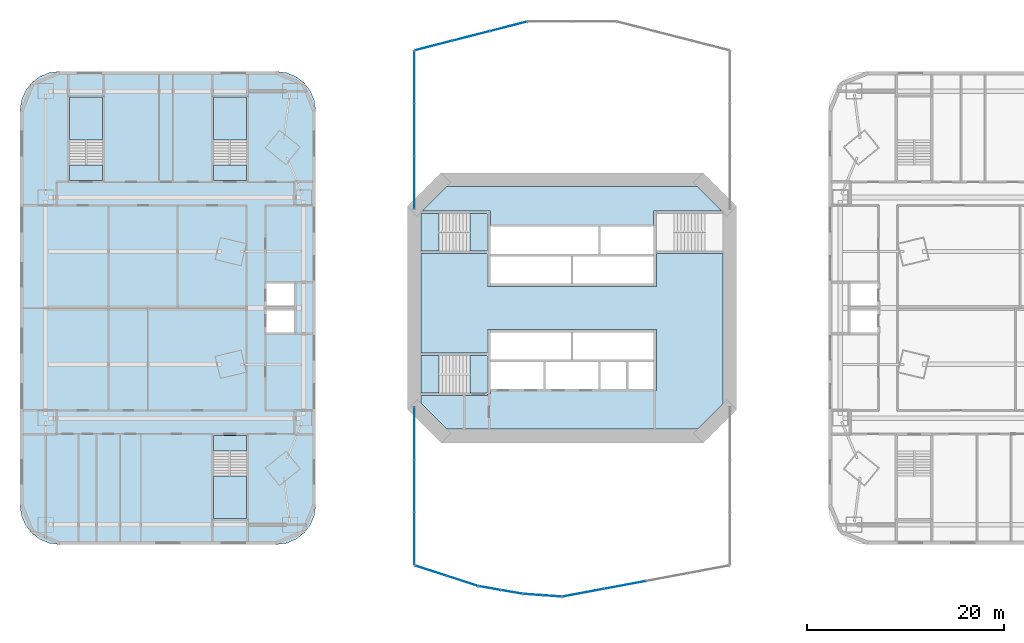
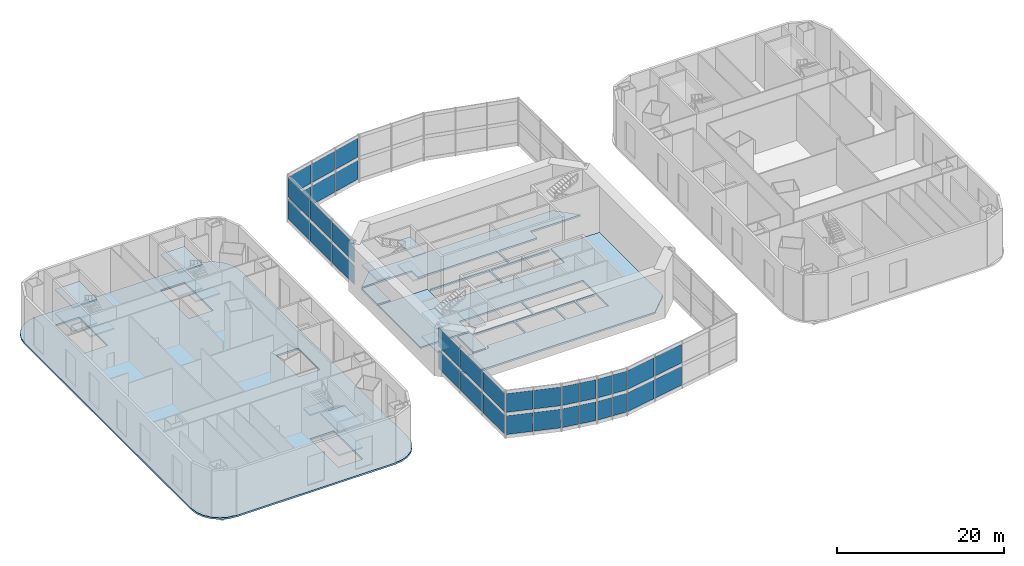
# One storey, part 8 of 19: 34 plates, 20 slabs, 12 elements without a shape of their own.
"""IFC4 building model written with IfcOpenShell, lengths in metres."""

import ifcopenshell
import ifcopenshell.guid

model = None  # the IFC model being written
_history = None  # IfcOwnerHistory: only IFC2X3 demands one
_inside = {}  # id of a spatial element -> (the spatial element, [elements in it])
_under = {}  # id of a project, library or spatial element -> (it, [spatial elements below it])
_declared = {}  # id of a project -> (the project, [libraries it declares])
_typed = {}  # id of a type object -> (the type object, [elements of that type])
_made_of = {}  # id of a material, layer set ... -> (it, [elements and type objects made of it])


def new_model(schema):
    """Start an empty IFC model of exactly this schema.

    Asked for "IFC4X3", IfcOpenShell would pick the latest addendum, in which some entities
    have other attributes; the version numbers below select the first issue.
    IFC2X3 requires an IfcOwnerHistory on every rooted entity: one is made here for all.
    """
    global model, _history
    if schema == "IFC4X3":
        model = ifcopenshell.file(schema_version=(4, 3, 0, 0))
    else:
        model = ifcopenshell.file(schema=schema)
    _inside.clear()
    _under.clear()
    _declared.clear()
    _typed.clear()
    _made_of.clear()
    _history = None
    if model.schema == "IFC2X3":
        org = make("IfcOrganization", Name="unknown")
        user = make(
            "IfcPersonAndOrganization",
            ThePerson=make("IfcPerson", FamilyName="unknown"),
            TheOrganization=org,
        )
        app = make(
            "IfcApplication",
            ApplicationDeveloper=org,
            Version="unknown",
            ApplicationFullName="unknown",
            ApplicationIdentifier="unknown",
        )
        _history = make(
            "IfcOwnerHistory",
            OwningUser=user,
            OwningApplication=app,
            ChangeAction="ADDED",
            CreationDate=0,
        )
    return model


def make(cls, **values):
    """One entity of the class cls with the attributes given. An attribute that is None is left unset."""
    return model.create_entity(
        cls, **{name: value for name, value in values.items() if value is not None}
    )


def rooted(cls, **values):
    """An entity with a GlobalId (a new one), such as an element, a storey or a relation."""
    return make(cls, GlobalId=ifcopenshell.guid.new(), OwnerHistory=_history, **values)


def si_unit(unit_type, name, prefix=None):
    """IfcSIUnit, for example si_unit("LENGTHUNIT", "METRE", prefix="MILLI")."""
    return make("IfcSIUnit", UnitType=unit_type, Prefix=prefix, Name=name)


def assignment(units):
    """IfcUnitAssignment: the units of a project."""
    return None if units is None else make("IfcUnitAssignment", Units=units)


def point(xyz):
    """IfcCartesianPoint."""
    return None if xyz is None else make("IfcCartesianPoint", Coordinates=xyz)


def direction(xyz):
    """IfcDirection."""
    return None if xyz is None else make("IfcDirection", DirectionRatios=xyz)


def frame(location, z_axis=None, x_axis=None):
    """IfcAxis2Placement3D, a coordinate frame: its origin and axes. An axis left out is left unset."""
    return make(
        "IfcAxis2Placement3D",
        Location=point(location),
        Axis=direction(z_axis),
        RefDirection=direction(x_axis),
    )


def frame_2d(location, x_axis=None):
    """IfcAxis2Placement2D, a coordinate frame in the plane: its origin and x axis."""
    return make(
        "IfcAxis2Placement2D", Location=point(location), RefDirection=direction(x_axis)
    )


def origin():
    """The frame at (0, 0, 0) with its axes left unset."""
    return frame((0.0, 0.0, 0.0))


def origin_2d():
    """The frame at (0, 0) in the plane with its x axis left unset."""
    return frame_2d((0.0, 0.0))


def place(relative_to, where):
    """IfcLocalPlacement: puts the frame where relative to a parent placement (None: the world)."""
    return make(
        "IfcLocalPlacement", PlacementRelTo=relative_to, RelativePlacement=where
    )


def context(
    kind, dimensions, precision=None, world=None, true_north=None, identifier=None
):
    """IfcGeometricRepresentationContext, for example the 3D "Model" context."""
    return make(
        "IfcGeometricRepresentationContext",
        ContextIdentifier=identifier,
        ContextType=kind,
        CoordinateSpaceDimension=dimensions,
        Precision=precision,
        WorldCoordinateSystem=world,
        TrueNorth=true_north,
    )


def subcontext(parent, identifier, kind, view, scale=None):
    """IfcGeometricRepresentationSubContext, for example "Body" below "Model"."""
    return make(
        "IfcGeometricRepresentationSubContext",
        ContextIdentifier=identifier,
        ContextType=kind,
        ParentContext=parent,
        TargetScale=scale,
        TargetView=view,
    )


def project(units=None, contexts=None):
    """IfcProject with its units and contexts."""
    return rooted(
        "IfcProject",
        Name="project",
        RepresentationContexts=contexts,
        UnitsInContext=assignment(units),
    )


def spatial(cls, under=None, at=None, **own):
    """A site, building, storey or space (cls), placed at a placement, below another one or the project."""
    s = rooted(cls, ObjectPlacement=at, **own)
    if under is not None:
        _under.setdefault(under.id(), (under, []))[1].append(s)
    return s


def polyline(points):
    """IfcPolyline through the points."""
    return make("IfcPolyline", Points=[point(p) for p in points])


def profile(cls, at=None, kind="AREA", **sizes):
    """A parametric profile (cls). Its sizes go by their IFC names, for example OverallWidth=200.0."""
    return make(cls, ProfileType=kind, Position=at, **sizes)


def rectangle(**sizes):
    """IfcRectangleProfileDef."""
    return profile("IfcRectangleProfileDef", **sizes)


def outline(outer, holes=None, kind="AREA"):
    """IfcArbitraryClosedProfileDef: a profile drawn as a closed curve; with holes, ...WithVoids."""
    if holes is None:
        return make("IfcArbitraryClosedProfileDef", ProfileType=kind, OuterCurve=outer)
    return make(
        "IfcArbitraryProfileDefWithVoids",
        ProfileType=kind,
        OuterCurve=outer,
        InnerCurves=holes,
    )


def extrude(swept, where, along, depth):
    """IfcExtrudedAreaSolid: the profile swept, set in the frame where, extruded along a direction by depth."""
    return make(
        "IfcExtrudedAreaSolid",
        SweptArea=swept,
        Position=where,
        ExtrudedDirection=direction(along),
        Depth=depth,
    )


def shape(context_of_items, identifier, shape_type, items):
    """IfcShapeRepresentation: the items that make up one representation, for example the "Body"."""
    return make(
        "IfcShapeRepresentation",
        ContextOfItems=context_of_items,
        RepresentationIdentifier=identifier,
        RepresentationType=shape_type,
        Items=items,
    )


def material(Name=None, Category=None):
    """IfcMaterial."""
    return make("IfcMaterial", Name=Name, Category=Category)


def layer(
    of_material, thickness, ventilated=None, Name=None, Category=None, Priority=None
):
    """IfcMaterialLayer: one layer of a wall or slab, of a material (None: an air gap)."""
    return make(
        "IfcMaterialLayer",
        Material=of_material,
        LayerThickness=thickness,
        IsVentilated=ventilated,
        Name=Name,
        Category=Category,
        Priority=Priority,
    )


def layer_set(layers, Name=None):
    """IfcMaterialLayerSet."""
    return make("IfcMaterialLayerSet", MaterialLayers=layers, LayerSetName=Name)


def made_of(thing, what):
    """Note that an element or type object is made of a material, layer set ...; save() writes the relation."""
    if what is not None:
        _made_of.setdefault(what.id(), (what, []))[1].append(thing)
    return thing


def type_object(cls, material=None, **own):
    """A type object (cls), such as IfcWallType, which elements share."""
    return made_of(rooted(cls, **own), material)


def element(
    cls,
    number,
    at=None,
    inside=None,
    cuts=None,
    type_object=None,
    material=None,
    context=None,
    identifier="Body",
    shape_type=None,
    held_by="IfcProductDefinitionShape",
    body=None,
    shapes=None,
    **own,
):
    """One element of the class cls, such as IfcWall. Its Tag is "e" and its number.

    at: its placement. inside: the storey or other place that contains it. cuts: it is an
    opening in that element (IfcRelVoidsElement). A single representation is given by context,
    identifier, shape_type and body (its items); several are given by shapes. held_by: the class
    of the entity that holds the representations. save() writes the other relations.
    """
    e = rooted(cls, Tag="e%d" % number, ObjectPlacement=at, **own)
    if body is not None:
        shapes = [shape(context, identifier, shape_type, body)]
    if shapes is not None:
        e.Representation = make(held_by, Representations=shapes)
    if inside is not None:
        _inside.setdefault(inside.id(), (inside, []))[1].append(e)
    if cuts is not None:
        rooted(
            "IfcRelVoidsElement", RelatingBuildingElement=cuts, RelatedOpeningElement=e
        )
    if type_object is not None:
        _typed.setdefault(type_object.id(), (type_object, []))[1].append(e)
    return made_of(e, material)


def aggregate(whole, parts):
    """IfcRelAggregates: a whole, such as a stair, and the parts it consists of."""
    return rooted("IfcRelAggregates", RelatingObject=whole, RelatedObjects=parts)


def save(model, path):
    """Write the relations noted so far, then the file.

    IfcRelAggregates (storeys below a building ...), IfcRelContainedInSpatialStructure (elements
    in a storey), IfcRelDefinesByType, IfcRelAssociatesMaterial and IfcRelDeclares: one each for
    every whole, place, type object, material and project.
    """
    for whole, parts in _under.values():
        aggregate(whole, parts)
    for where, things in _inside.values():
        rooted(
            "IfcRelContainedInSpatialStructure",
            RelatedElements=things,
            RelatingStructure=where,
        )
    for kind, things in _typed.values():
        rooted("IfcRelDefinesByType", RelatedObjects=things, RelatingType=kind)
    for what, things in _made_of.values():
        rooted("IfcRelAssociatesMaterial", RelatedObjects=things, RelatingMaterial=what)
    for by, libraries in _declared.values():
        rooted("IfcRelDeclares", RelatingContext=by, RelatedDefinitions=libraries)
    model.write(path)


model = new_model("IFC4")

# Units and contexts
model_context = context("Model", 3, precision=1e-05, world=origin(), true_north=direction((0.0, 1.0)))
body_context = subcontext(model_context, "Body", "Model", "MODEL_VIEW")
ifc_project = project(units=[si_unit("LENGTHUNIT", "METRE"), si_unit("AREAUNIT", "SQUARE_METRE"), si_unit("VOLUMEUNIT", "CUBIC_METRE"), si_unit("PLANEANGLEUNIT", "RADIAN"), si_unit("MASSUNIT", "GRAM", prefix="KILO")], contexts=[model_context])

# Site, building, storey
site_placement = place(None, origin())
site = spatial("IfcSite", under=ifc_project, at=site_placement, CompositionType="ELEMENT")
building_placement = place(site_placement, origin())
building = spatial("IfcBuilding", under=site, at=building_placement, Name="Marenthal Gate Tower", CompositionType="ELEMENT")
storey_placement = place(building_placement, frame((0.0, 0.0, 12.0)))
storey = spatial("IfcBuildingStorey", under=building, at=storey_placement, Name="L01", CompositionType="ELEMENT", Elevation=12.0)

# Slabs
ifc_material_1 = material(Name="Concrete 50 MPa", Category="concrete")
ifc_layer_1 = layer(ifc_material_1, 0.25)
ifc_layer_set_1 = layer_set([ifc_layer_1], Name="Core floor slab 250")
slab_type_1 = type_object("IfcSlabType", Name="Core floor slab 250", PredefinedType="FLOOR", material=ifc_layer_set_1)
slab_1_placement = place(storey_placement, frame((0.0, 0.0, -0.25)))
element("IfcSlab", 1, at=slab_1_placement, inside=storey, type_object=slab_type_1, Name="Core floor L01", PredefinedType="FLOOR", context=body_context, shape_type="SweptSolid", body=[
    extrude(outline(polyline([(15.300048828125, -9.710205078125), (12.710205078125, -12.300048828125), (-12.710205078125, -12.300048828125), (-15.300048828125, -9.710205078125), (-15.300048828125, -8.875), (-8.550048828125, -8.875), (-8.550048828125, -8.75), (-8.25, -8.75), (-8.25, -8.239990234375), (-5.60009765625, -8.239990234375), (-2.909912109375, -8.239990234375), (-2.909912109375, -5.4599609375), (-5.60009765625, -5.4599609375), (-8.25, -5.4599609375), (-8.25, -5.239990234375), (-5.60009765625, -5.239990234375), (-2.800048828125, -5.239990234375), (-0.110107421875, -5.239990234375), (-0.110107421875, -2.5), (0.110107421875, -2.5), (0.110107421875, -5.239990234375), (2.800048828125, -5.239990234375), (5.60009765625, -5.239990234375), (8.25, -5.239990234375), (8.25, -5.4599609375), (5.7099609375, -5.4599609375), (5.7099609375, -8.239990234375), (8.25, -8.239990234375), (8.25, -8.35009765625), (8.550048828125, -8.35009765625), (8.550048828125, -2.199951171875), (8.25, -2.199951171875), (-8.25, -2.199951171875), (-8.550048828125, -2.199951171875), (-8.550048828125, -4.574951171875), (-15.300048828125, -4.574951171875), (-15.300048828125, 5.52490234375), (-8.550048828125, 5.52490234375), (-8.550048828125, 2.199951171875), (-8.25, 2.199951171875), (8.25, 2.199951171875), (8.550048828125, 2.199951171875), (8.550048828125, 5.52490234375), (15.300048828125, 5.52490234375), (15.300048828125, -9.710205078125)]), holes=[polyline([(2.909912109375, -8.239990234375), (5.489990234375, -8.239990234375), (5.489990234375, -5.4599609375), (2.909912109375, -5.4599609375), (2.909912109375, -8.239990234375)]), polyline([(-2.68994140625, -5.4599609375), (-2.68994140625, -8.239990234375), (0.0, -8.239990234375), (2.68994140625, -8.239990234375), (2.68994140625, -5.4599609375), (0.0, -5.4599609375), (-2.68994140625, -5.4599609375)])]), origin(), (0.0, 0.0, 1.0), 0.25),
])
slab_2_placement = place(storey_placement, frame((0.0, 0.0, -0.25)))
element("IfcSlab", 2, at=slab_2_placement, inside=storey, type_object=slab_type_1, Name="Core floor L01", PredefinedType="FLOOR", context=body_context, shape_type="SweptSolid", body=[
    extrude(outline(polyline([(12.710205078125, 12.300048828125), (15.18505859375, 9.824951171875), (8.550048828125, 9.824951171875), (8.25, 9.824951171875), (8.25, 8.35009765625), (8.25, 8.239990234375), (5.60009765625, 8.239990234375), (2.909912109375, 8.239990234375), (2.909912109375, 5.4599609375), (5.60009765625, 5.4599609375), (8.25, 5.4599609375), (8.25, 5.239990234375), (5.60009765625, 5.239990234375), (2.800048828125, 5.239990234375), (0.110107421875, 5.239990234375), (0.110107421875, 2.5), (-0.110107421875, 2.5), (-0.110107421875, 5.239990234375), (-2.800048828125, 5.239990234375), (-5.60009765625, 5.239990234375), (-8.25, 5.239990234375), (-8.25, 5.4599609375), (-5.60009765625, 5.4599609375), (-2.800048828125, 5.4599609375), (0.0, 5.4599609375), (2.68994140625, 5.4599609375), (2.68994140625, 8.239990234375), (0.0, 8.239990234375), (-2.800048828125, 8.239990234375), (-5.60009765625, 8.239990234375), (-8.25, 8.239990234375), (-8.25, 8.35009765625), (-8.25, 9.824951171875), (-8.550048828125, 9.824951171875), (-15.18505859375, 9.824951171875), (-12.710205078125, 12.300048828125), (12.710205078125, 12.300048828125)])), origin(), (0.0, 0.0, 1.0), 0.25),
])
slab_3_placement = place(storey_placement, frame((0.0, 0.0, -0.25)))
element("IfcSlab", 3, at=slab_3_placement, inside=storey, type_object=slab_type_1, Name="Core floor L01", PredefinedType="FLOOR", context=body_context, shape_type="SweptSolid", body=[
    extrude(outline(polyline([(-15.300048828125, 9.574951171875), (-13.5, 9.574951171875), (-13.5, 5.77490234375), (-15.300048828125, 5.77490234375), (-15.300048828125, 9.574951171875)])), origin(), (0.0, 0.0, 1.0), 0.25),
])
slab_4_placement = place(storey_placement, frame((0.0, 0.0, -0.25)))
element("IfcSlab", 4, at=slab_4_placement, inside=storey, type_object=slab_type_1, Name="Core floor L01", PredefinedType="FLOOR", context=body_context, shape_type="SweptSolid", body=[
    extrude(outline(polyline([(-10.35009765625, -8.625), (-10.35009765625, -4.824951171875), (-8.550048828125, -4.824951171875), (-8.550048828125, -8.625), (-10.35009765625, -8.625)])), origin(), (0.0, 0.0, 1.0), 0.25),
])

# Curtain wall, plates
ifc_material_2 = material(Name="Aluminium and glass", Category="aluminium")
curtain_wall_type = type_object("IfcCurtainWallType", Name="Curtain wall arch infill", PredefinedType="NOTDEFINED", material=ifc_material_2)
curtain_wall_1_placement = place(storey_placement, origin())
curtain_wall_1 = element("IfcCurtainWall", 5, at=curtain_wall_1_placement, inside=storey, type_object=curtain_wall_type, Name="Curtain wall L01 arch N1", PredefinedType="NOTDEFINED")
ifc_material_3 = material(Name="Glass, laminated impact-rated unit", Category="glass")
ifc_layer_2 = layer(ifc_material_3, 0.035888671875)
ifc_layer_set_2 = layer_set([ifc_layer_2], Name="Glass panel 36 arch infill")
plate_type = type_object("IfcPlateType", Name="Glass panel 36 arch infill", PredefinedType="CURTAIN_PANEL", material=ifc_layer_set_2)
plate_1_placement = place(storey_placement, frame((-14.0576171875, 26.614501953125, 0.5), z_axis=(0.0, 0.0, 1.0), x_axis=(0.968768898542, 0.247965362941, 0.0)))
plate_1 = element("IfcPlate", 6, at=plate_1_placement, type_object=plate_type, Name="Glass panel L01 arch N1.1.1", PredefinedType="CURTAIN_PANEL", context=body_context, shape_type="SweptSolid", body=[
    extrude(rectangle(XDim=3.850341796875, YDim=0.035888671875, at=origin_2d()), origin(), (0.0, 0.0, 1.0), 2.75),
])
plate_2_placement = place(storey_placement, frame((-14.0576171875, 26.614501953125, 3.75), z_axis=(0.0, 0.0, 1.0), x_axis=(0.968768898542, 0.247965362941, 0.0)))
plate_2 = element("IfcPlate", 7, at=plate_2_placement, type_object=plate_type, Name="Glass panel L01 arch N1.1.2", PredefinedType="CURTAIN_PANEL", context=body_context, shape_type="SweptSolid", body=[
    extrude(rectangle(XDim=3.850341796875, YDim=0.035888671875, at=origin_2d()), origin(), (0.0, 0.0, 1.0), 2.75),
])
plate_3_placement = place(storey_placement, frame((-10.25, 27.589111328125, 0.5), z_axis=(0.0, 0.0, 1.0), x_axis=(0.968768898542, 0.247965362941, 0.0)))
plate_3 = element("IfcPlate", 8, at=plate_3_placement, type_object=plate_type, Name="Glass panel L01 arch N1.2.1", PredefinedType="CURTAIN_PANEL", context=body_context, shape_type="SweptSolid", body=[
    extrude(rectangle(XDim=3.850341796875, YDim=0.035888671875, at=origin_2d()), origin(), (0.0, 0.0, 1.0), 2.75),
])
plate_4_placement = place(storey_placement, frame((-10.25, 27.589111328125, 3.75), z_axis=(0.0, 0.0, 1.0), x_axis=(0.968768898542, 0.247965362941, 0.0)))
plate_4 = element("IfcPlate", 9, at=plate_4_placement, type_object=plate_type, Name="Glass panel L01 arch N1.2.2", PredefinedType="CURTAIN_PANEL", context=body_context, shape_type="SweptSolid", body=[
    extrude(rectangle(XDim=3.850341796875, YDim=0.035888671875, at=origin_2d()), origin(), (0.0, 0.0, 1.0), 2.75),
])
plate_5_placement = place(storey_placement, frame((-6.4423828125, 28.563720703125, 0.5), z_axis=(0.0, 0.0, 1.0), x_axis=(0.968768898542, 0.247965362941, 0.0)))
plate_5 = element("IfcPlate", 10, at=plate_5_placement, type_object=plate_type, Name="Glass panel L01 arch N1.3.1", PredefinedType="CURTAIN_PANEL", context=body_context, shape_type="SweptSolid", body=[
    extrude(rectangle(XDim=3.850341796875, YDim=0.035888671875, at=origin_2d()), origin(), (0.0, 0.0, 1.0), 2.75),
])
plate_6_placement = place(storey_placement, frame((-6.4423828125, 28.563720703125, 3.75), z_axis=(0.0, 0.0, 1.0), x_axis=(0.968768898542, 0.247965362941, 0.0)))
plate_6 = element("IfcPlate", 11, at=plate_6_placement, type_object=plate_type, Name="Glass panel L01 arch N1.3.2", PredefinedType="CURTAIN_PANEL", context=body_context, shape_type="SweptSolid", body=[
    extrude(rectangle(XDim=3.850341796875, YDim=0.035888671875, at=origin_2d()), origin(), (0.0, 0.0, 1.0), 2.75),
])
aggregate(curtain_wall_1, [plate_1, plate_2, plate_3, plate_4, plate_5, plate_6])

curtain_wall_2_placement = place(storey_placement, origin())
curtain_wall_2 = element("IfcCurtainWall", 12, at=curtain_wall_2_placement, inside=storey, type_object=curtain_wall_type, Name="Curtain wall L01 hall NW1", PredefinedType="NOTDEFINED")
plate_7_placement = place(storey_placement, frame((-16.0, 12.712890625, 0.5), z_axis=(0.0, 0.0, 1.0), x_axis=(0.0, 1.0, 0.0)))
plate_7 = element("IfcPlate", 13, at=plate_7_placement, type_object=plate_type, Name="Glass panel L01 hall NW1.1.1", PredefinedType="CURTAIN_PANEL", context=body_context, shape_type="SweptSolid", body=[
    extrude(rectangle(XDim=5.265869140625, YDim=0.035888671875, at=origin_2d()), origin(), (0.0, 0.0, 1.0), 2.75),
])
plate_8_placement = place(storey_placement, frame((-16.0, 12.712890625, 3.75), z_axis=(0.0, 0.0, 1.0), x_axis=(0.0, 1.0, 0.0)))
plate_8 = element("IfcPlate", 14, at=plate_8_placement, type_object=plate_type, Name="Glass panel L01 hall NW1.1.2", PredefinedType="CURTAIN_PANEL", context=body_context, shape_type="SweptSolid", body=[
    extrude(rectangle(XDim=5.265869140625, YDim=0.035888671875, at=origin_2d()), origin(), (0.0, 0.0, 1.0), 2.75),
])
plate_9_placement = place(storey_placement, frame((-16.0, 18.05859375, 0.5), z_axis=(0.0, 0.0, 1.0), x_axis=(0.0, 1.0, 0.0)))
plate_9 = element("IfcPlate", 15, at=plate_9_placement, type_object=plate_type, Name="Glass panel L01 hall NW1.2.1", PredefinedType="CURTAIN_PANEL", context=body_context, shape_type="SweptSolid", body=[
    extrude(rectangle(XDim=5.265869140625, YDim=0.035888671875, at=origin_2d()), origin(), (0.0, 0.0, 1.0), 2.75),
])
plate_10_placement = place(storey_placement, frame((-16.0, 18.05859375, 3.75), z_axis=(0.0, 0.0, 1.0), x_axis=(0.0, 1.0, 0.0)))
plate_10 = element("IfcPlate", 16, at=plate_10_placement, type_object=plate_type, Name="Glass panel L01 hall NW1.2.2", PredefinedType="CURTAIN_PANEL", context=body_context, shape_type="SweptSolid", body=[
    extrude(rectangle(XDim=5.265869140625, YDim=0.035888671875, at=origin_2d()), origin(), (0.0, 0.0, 1.0), 2.75),
])
plate_11_placement = place(storey_placement, frame((-16.0, 23.404541015625, 0.5), z_axis=(0.0, 0.0, 1.0), x_axis=(0.0, 1.0, 0.0)))
plate_11 = element("IfcPlate", 17, at=plate_11_placement, type_object=plate_type, Name="Glass panel L01 hall NW1.3.1", PredefinedType="CURTAIN_PANEL", context=body_context, shape_type="SweptSolid", body=[
    extrude(rectangle(XDim=5.265869140625, YDim=0.035888671875, at=origin_2d()), origin(), (0.0, 0.0, 1.0), 2.75),
])
plate_12_placement = place(storey_placement, frame((-16.0, 23.404541015625, 3.75), z_axis=(0.0, 0.0, 1.0), x_axis=(0.0, 1.0, 0.0)))
plate_12 = element("IfcPlate", 18, at=plate_12_placement, type_object=plate_type, Name="Glass panel L01 hall NW1.3.2", PredefinedType="CURTAIN_PANEL", context=body_context, shape_type="SweptSolid", body=[
    extrude(rectangle(XDim=5.265869140625, YDim=0.035888671875, at=origin_2d()), origin(), (0.0, 0.0, 1.0), 2.75),
])
aggregate(curtain_wall_2, [plate_7, plate_8, plate_9, plate_10, plate_11, plate_12])

curtain_wall_3_placement = place(storey_placement, origin())
curtain_wall_3 = element("IfcCurtainWall", 19, at=curtain_wall_3_placement, inside=storey, type_object=curtain_wall_type, Name="Curtain wall L01 arch S1", PredefinedType="NOTDEFINED")
plate_13_placement = place(storey_placement, frame((-14.35595703125, -26.64892578125, 0.5), z_axis=(0.0, 0.0, 1.0), x_axis=(0.951502371344, -0.307641410292, 0.0)))
plate_13 = element("IfcPlate", 20, at=plate_13_placement, type_object=plate_type, Name="Glass panel L01 arch S1.1.1", PredefinedType="CURTAIN_PANEL", context=body_context, shape_type="SweptSolid", body=[
    extrude(rectangle(XDim=3.295654296875, YDim=0.035888671875, at=origin_2d()), origin(), (0.0, 0.0, 1.0), 2.75),
])
plate_14_placement = place(storey_placement, frame((-14.35595703125, -26.64892578125, 3.75), z_axis=(0.0, 0.0, 1.0), x_axis=(0.951502371344, -0.307641410292, 0.0)))
plate_14 = element("IfcPlate", 21, at=plate_14_placement, type_object=plate_type, Name="Glass panel L01 arch S1.1.2", PredefinedType="CURTAIN_PANEL", context=body_context, shape_type="SweptSolid", body=[
    extrude(rectangle(XDim=3.295654296875, YDim=0.035888671875, at=origin_2d()), origin(), (0.0, 0.0, 1.0), 2.75),
])
plate_15_placement = place(storey_placement, frame((-11.14404296875, -27.6875, 0.5), z_axis=(0.0, 0.0, 1.0), x_axis=(0.951502371344, -0.307641410292, 0.0)))
plate_15 = element("IfcPlate", 22, at=plate_15_placement, type_object=plate_type, Name="Glass panel L01 arch S1.2.1", PredefinedType="CURTAIN_PANEL", context=body_context, shape_type="SweptSolid", body=[
    extrude(rectangle(XDim=3.295654296875, YDim=0.035888671875, at=origin_2d()), origin(), (0.0, 0.0, 1.0), 2.75),
])
plate_16_placement = place(storey_placement, frame((-11.14404296875, -27.6875, 3.75), z_axis=(0.0, 0.0, 1.0), x_axis=(0.951502371344, -0.307641410292, 0.0)))
plate_16 = element("IfcPlate", 23, at=plate_16_placement, type_object=plate_type, Name="Glass panel L01 arch S1.2.2", PredefinedType="CURTAIN_PANEL", context=body_context, shape_type="SweptSolid", body=[
    extrude(rectangle(XDim=3.295654296875, YDim=0.035888671875, at=origin_2d()), origin(), (0.0, 0.0, 1.0), 2.75),
])
aggregate(curtain_wall_3, [plate_13, plate_14, plate_15, plate_16])

curtain_wall_4_placement = place(storey_placement, origin())
curtain_wall_4 = element("IfcCurtainWall", 24, at=curtain_wall_4_placement, inside=storey, type_object=curtain_wall_type, Name="Curtain wall L01 arch S2", PredefinedType="NOTDEFINED")
plate_17_placement = place(storey_placement, frame((-8.355224609375, -28.4189453125, 0.5), z_axis=(0.0, 0.0, 1.0), x_axis=(0.985101701709, -0.171972780668, 0.0)))
plate_17 = element("IfcPlate", 25, at=plate_17_placement, type_object=plate_type, Name="Glass panel L01 arch S2.1.1", PredefinedType="CURTAIN_PANEL", context=body_context, shape_type="SweptSolid", body=[
    extrude(rectangle(XDim=2.1640625, YDim=0.035888671875, at=origin_2d()), origin(), (0.0, 0.0, 1.0), 2.75),
])
plate_18_placement = place(storey_placement, frame((-8.355224609375, -28.4189453125, 3.75), z_axis=(0.0, 0.0, 1.0), x_axis=(0.985101701709, -0.171972780668, 0.0)))
plate_18 = element("IfcPlate", 26, at=plate_18_placement, type_object=plate_type, Name="Glass panel L01 arch S2.1.2", PredefinedType="CURTAIN_PANEL", context=body_context, shape_type="SweptSolid", body=[
    extrude(rectangle(XDim=2.1640625, YDim=0.035888671875, at=origin_2d()), origin(), (0.0, 0.0, 1.0), 2.75),
])
plate_19_placement = place(storey_placement, frame((-6.144775390625, -28.8046875, 0.5), z_axis=(0.0, 0.0, 1.0), x_axis=(0.985101701709, -0.171972780668, 0.0)))
plate_19 = element("IfcPlate", 27, at=plate_19_placement, type_object=plate_type, Name="Glass panel L01 arch S2.2.1", PredefinedType="CURTAIN_PANEL", context=body_context, shape_type="SweptSolid", body=[
    extrude(rectangle(XDim=2.1640625, YDim=0.035888671875, at=origin_2d()), origin(), (0.0, 0.0, 1.0), 2.75),
])
plate_20_placement = place(storey_placement, frame((-6.144775390625, -28.8046875, 3.75), z_axis=(0.0, 0.0, 1.0), x_axis=(0.985101701709, -0.171972780668, 0.0)))
plate_20 = element("IfcPlate", 28, at=plate_20_placement, type_object=plate_type, Name="Glass panel L01 arch S2.2.2", PredefinedType="CURTAIN_PANEL", context=body_context, shape_type="SweptSolid", body=[
    extrude(rectangle(XDim=2.1640625, YDim=0.035888671875, at=origin_2d()), origin(), (0.0, 0.0, 1.0), 2.75),
])
aggregate(curtain_wall_4, [plate_17, plate_18, plate_19, plate_20])

curtain_wall_5_placement = place(storey_placement, origin())
curtain_wall_5 = element("IfcCurtainWall", 29, at=curtain_wall_5_placement, inside=storey, type_object=curtain_wall_type, Name="Curtain wall L01 arch S3", PredefinedType="NOTDEFINED")
plate_21_placement = place(storey_placement, frame((-3.97998046875, -29.076904296875, 0.5), z_axis=(0.0, 0.0, 1.0), x_axis=(0.997495161638, -0.070734733401, 0.0)))
plate_21 = element("IfcPlate", 30, at=plate_21_placement, type_object=plate_type, Name="Glass panel L01 arch S3.1.1", PredefinedType="CURTAIN_PANEL", context=body_context, shape_type="SweptSolid", body=[
    extrude(rectangle(XDim=1.885009765625, YDim=0.035888671875, at=origin_2d()), origin(), (0.0, 0.0, 1.0), 2.75),
])
plate_22_placement = place(storey_placement, frame((-3.97998046875, -29.076904296875, 3.75), z_axis=(0.0, 0.0, 1.0), x_axis=(0.997495161638, -0.070734733401, 0.0)))
plate_22 = element("IfcPlate", 31, at=plate_22_placement, type_object=plate_type, Name="Glass panel L01 arch S3.1.2", PredefinedType="CURTAIN_PANEL", context=body_context, shape_type="SweptSolid", body=[
    extrude(rectangle(XDim=1.885009765625, YDim=0.035888671875, at=origin_2d()), origin(), (0.0, 0.0, 1.0), 2.75),
])
plate_23_placement = place(storey_placement, frame((-2.02001953125, -29.2158203125, 0.5), z_axis=(0.0, 0.0, 1.0), x_axis=(0.997495161638, -0.070734733401, 0.0)))
plate_23 = element("IfcPlate", 32, at=plate_23_placement, type_object=plate_type, Name="Glass panel L01 arch S3.2.1", PredefinedType="CURTAIN_PANEL", context=body_context, shape_type="SweptSolid", body=[
    extrude(rectangle(XDim=1.885009765625, YDim=0.035888671875, at=origin_2d()), origin(), (0.0, 0.0, 1.0), 2.75),
])
plate_24_placement = place(storey_placement, frame((-2.02001953125, -29.2158203125, 3.75), z_axis=(0.0, 0.0, 1.0), x_axis=(0.997495161638, -0.070734733401, 0.0)))
plate_24 = element("IfcPlate", 33, at=plate_24_placement, type_object=plate_type, Name="Glass panel L01 arch S3.2.2", PredefinedType="CURTAIN_PANEL", context=body_context, shape_type="SweptSolid", body=[
    extrude(rectangle(XDim=1.885009765625, YDim=0.035888671875, at=origin_2d()), origin(), (0.0, 0.0, 1.0), 2.75),
])
aggregate(curtain_wall_5, [plate_21, plate_22, plate_23, plate_24])

curtain_wall_6_placement = place(storey_placement, origin())
curtain_wall_6 = element("IfcCurtainWall", 34, at=curtain_wall_6_placement, inside=storey, type_object=curtain_wall_type, Name="Curtain wall L01 arch S4", PredefinedType="NOTDEFINED")
plate_25_placement = place(storey_placement, frame((1.154541015625, -28.886474609375, 0.5), z_axis=(0.0, 0.0, 1.0), x_axis=(0.983046432537, 0.183356787375, 0.0)))
plate_25 = element("IfcPlate", 35, at=plate_25_placement, type_object=plate_type, Name="Glass panel L01 arch S4.1.1", PredefinedType="CURTAIN_PANEL", context=body_context, shape_type="SweptSolid", body=[
    extrude(rectangle(XDim=4.223388671875, YDim=0.035888671875, at=origin_2d()), origin(), (0.0, 0.0, 1.0), 2.75),
])
plate_26_placement = place(storey_placement, frame((1.154541015625, -28.886474609375, 3.75), z_axis=(0.0, 0.0, 1.0), x_axis=(0.983046432537, 0.183356787375, 0.0)))
plate_26 = element("IfcPlate", 36, at=plate_26_placement, type_object=plate_type, Name="Glass panel L01 arch S4.1.2", PredefinedType="CURTAIN_PANEL", context=body_context, shape_type="SweptSolid", body=[
    extrude(rectangle(XDim=4.223388671875, YDim=0.035888671875, at=origin_2d()), origin(), (0.0, 0.0, 1.0), 2.75),
])
plate_27_placement = place(storey_placement, frame((5.384765625, -28.097412109375, 0.5), z_axis=(0.0, 0.0, 1.0), x_axis=(0.983046432537, 0.183356787375, 0.0)))
plate_27 = element("IfcPlate", 37, at=plate_27_placement, type_object=plate_type, Name="Glass panel L01 arch S4.2.1", PredefinedType="CURTAIN_PANEL", context=body_context, shape_type="SweptSolid", body=[
    extrude(rectangle(XDim=4.223388671875, YDim=0.035888671875, at=origin_2d()), origin(), (0.0, 0.0, 1.0), 2.75),
])
plate_28_placement = place(storey_placement, frame((5.384765625, -28.097412109375, 3.75), z_axis=(0.0, 0.0, 1.0), x_axis=(0.983046432537, 0.183356787375, 0.0)))
plate_28 = element("IfcPlate", 38, at=plate_28_placement, type_object=plate_type, Name="Glass panel L01 arch S4.2.2", PredefinedType="CURTAIN_PANEL", context=body_context, shape_type="SweptSolid", body=[
    extrude(rectangle(XDim=4.223388671875, YDim=0.035888671875, at=origin_2d()), origin(), (0.0, 0.0, 1.0), 2.75),
])
aggregate(curtain_wall_6, [plate_25, plate_26, plate_27, plate_28])

curtain_wall_7_placement = place(storey_placement, origin())
curtain_wall_7 = element("IfcCurtainWall", 39, at=curtain_wall_7_placement, inside=storey, type_object=curtain_wall_type, Name="Curtain wall L01 hall SW1", PredefinedType="NOTDEFINED")
plate_29_placement = place(storey_placement, frame((-16.0, -12.712890625, 0.5), z_axis=(0.0, 0.0, 1.0), x_axis=(0.0, -1.0, 0.0)))
plate_29 = element("IfcPlate", 40, at=plate_29_placement, type_object=plate_type, Name="Glass panel L01 hall SW1.1.1", PredefinedType="CURTAIN_PANEL", context=body_context, shape_type="SweptSolid", body=[
    extrude(rectangle(XDim=5.265869140625, YDim=0.035888671875, at=origin_2d()), origin(), (0.0, 0.0, 1.0), 2.75),
])
plate_30_placement = place(storey_placement, frame((-16.0, -12.712890625, 3.75), z_axis=(0.0, 0.0, 1.0), x_axis=(0.0, -1.0, 0.0)))
plate_30 = element("IfcPlate", 41, at=plate_30_placement, type_object=plate_type, Name="Glass panel L01 hall SW1.1.2", PredefinedType="CURTAIN_PANEL", context=body_context, shape_type="SweptSolid", body=[
    extrude(rectangle(XDim=5.265869140625, YDim=0.035888671875, at=origin_2d()), origin(), (0.0, 0.0, 1.0), 2.75),
])
plate_31_placement = place(storey_placement, frame((-16.0, -18.05859375, 0.5), z_axis=(0.0, 0.0, 1.0), x_axis=(0.0, -1.0, 0.0)))
plate_31 = element("IfcPlate", 42, at=plate_31_placement, type_object=plate_type, Name="Glass panel L01 hall SW1.2.1", PredefinedType="CURTAIN_PANEL", context=body_context, shape_type="SweptSolid", body=[
    extrude(rectangle(XDim=5.265869140625, YDim=0.035888671875, at=origin_2d()), origin(), (0.0, 0.0, 1.0), 2.75),
])
plate_32_placement = place(storey_placement, frame((-16.0, -18.05859375, 3.75), z_axis=(0.0, 0.0, 1.0), x_axis=(0.0, -1.0, 0.0)))
plate_32 = element("IfcPlate", 43, at=plate_32_placement, type_object=plate_type, Name="Glass panel L01 hall SW1.2.2", PredefinedType="CURTAIN_PANEL", context=body_context, shape_type="SweptSolid", body=[
    extrude(rectangle(XDim=5.265869140625, YDim=0.035888671875, at=origin_2d()), origin(), (0.0, 0.0, 1.0), 2.75),
])
plate_33_placement = place(storey_placement, frame((-16.0, -23.404541015625, 0.5), z_axis=(0.0, 0.0, 1.0), x_axis=(0.0, -1.0, 0.0)))
plate_33 = element("IfcPlate", 44, at=plate_33_placement, type_object=plate_type, Name="Glass panel L01 hall SW1.3.1", PredefinedType="CURTAIN_PANEL", context=body_context, shape_type="SweptSolid", body=[
    extrude(rectangle(XDim=5.265869140625, YDim=0.035888671875, at=origin_2d()), origin(), (0.0, 0.0, 1.0), 2.75),
])
plate_34_placement = place(storey_placement, frame((-16.0, -23.404541015625, 3.75), z_axis=(0.0, 0.0, 1.0), x_axis=(0.0, -1.0, 0.0)))
plate_34 = element("IfcPlate", 45, at=plate_34_placement, type_object=plate_type, Name="Glass panel L01 hall SW1.3.2", PredefinedType="CURTAIN_PANEL", context=body_context, shape_type="SweptSolid", body=[
    extrude(rectangle(XDim=5.265869140625, YDim=0.035888671875, at=origin_2d()), origin(), (0.0, 0.0, 1.0), 2.75),
])
aggregate(curtain_wall_7, [plate_29, plate_30, plate_31, plate_32, plate_33, plate_34])

# Stair, slabs
ifc_material_4 = material(Name="Concrete 40 MPa", Category="concrete")
stair_type_1 = type_object("IfcStairType", Name="Exit stair 1800", PredefinedType="HALF_TURN_STAIR", material=ifc_material_4)
stair_1_placement = place(storey_placement, origin())
stair_1 = element("IfcStair", 46, at=stair_1_placement, inside=storey, type_object=stair_type_1, Name="Stair ST1", PredefinedType="HALF_TURN_STAIR")
ifc_material_5 = material(Name="Concrete 40 MPa", Category="concrete")
ifc_layer_3 = layer(ifc_material_5, 0.199951171875)
ifc_layer_set_3 = layer_set([ifc_layer_3], Name="Stair landing 200")
slab_type_2 = type_object("IfcSlabType", Name="Stair landing 200", PredefinedType="LANDING", material=ifc_layer_set_3)
slab_5_placement = place(storey_placement, frame((0.0, 0.0, 1.550048828125)))
slab_5 = element("IfcSlab", 47, at=slab_5_placement, type_object=slab_type_2, Name="ST1 landing 1", PredefinedType="LANDING", context=body_context, shape_type="SweptSolid", body=[
    extrude(outline(polyline([(-10.35009765625, 5.77490234375), (-8.550048828125, 5.77490234375), (-8.550048828125, 9.574951171875), (-10.35009765625, 9.574951171875), (-10.35009765625, 5.77490234375)])), origin(), (0.0, 0.0, 1.0), 0.199951171875),
])
slab_6_placement = place(storey_placement, frame((0.0, 0.0, 3.300048828125)))
slab_6 = element("IfcSlab", 48, at=slab_6_placement, type_object=slab_type_2, Name="ST1 landing 2", PredefinedType="LANDING", context=body_context, shape_type="SweptSolid", body=[
    extrude(outline(polyline([(-15.300048828125, 5.77490234375), (-13.5, 5.77490234375), (-13.5, 9.574951171875), (-15.300048828125, 9.574951171875), (-15.300048828125, 5.77490234375)])), origin(), (0.0, 0.0, 1.0), 0.199951171875),
])
slab_7_placement = place(storey_placement, frame((0.0, 0.0, 5.050048828125)))
slab_7 = element("IfcSlab", 49, at=slab_7_placement, type_object=slab_type_2, Name="ST1 landing 3", PredefinedType="LANDING", context=body_context, shape_type="SweptSolid", body=[
    extrude(outline(polyline([(-10.35009765625, 5.77490234375), (-8.550048828125, 5.77490234375), (-8.550048828125, 9.574951171875), (-10.35009765625, 9.574951171875), (-10.35009765625, 5.77490234375)])), origin(), (0.0, 0.0, 1.0), 0.199951171875),
])
aggregate(stair_1, [slab_5, slab_6, slab_7])

stair_2_placement = place(storey_placement, origin())
stair_2 = element("IfcStair", 50, at=stair_2_placement, inside=storey, type_object=stair_type_1, Name="Stair ST2", PredefinedType="HALF_TURN_STAIR")
slab_8_placement = place(storey_placement, frame((0.0, 0.0, 1.550048828125)))
slab_8 = element("IfcSlab", 51, at=slab_8_placement, type_object=slab_type_2, Name="ST2 landing 1", PredefinedType="LANDING", context=body_context, shape_type="SweptSolid", body=[
    extrude(outline(polyline([(-15.300048828125, -8.625), (-13.5, -8.625), (-13.5, -4.824951171875), (-15.300048828125, -4.824951171875), (-15.300048828125, -8.625)])), origin(), (0.0, 0.0, 1.0), 0.199951171875),
])
slab_9_placement = place(storey_placement, frame((0.0, 0.0, 3.300048828125)))
slab_9 = element("IfcSlab", 52, at=slab_9_placement, type_object=slab_type_2, Name="ST2 landing 2", PredefinedType="LANDING", context=body_context, shape_type="SweptSolid", body=[
    extrude(outline(polyline([(-10.35009765625, -8.625), (-8.550048828125, -8.625), (-8.550048828125, -4.824951171875), (-10.35009765625, -4.824951171875), (-10.35009765625, -8.625)])), origin(), (0.0, 0.0, 1.0), 0.199951171875),
])
slab_10_placement = place(storey_placement, frame((0.0, 0.0, 5.050048828125)))
slab_10 = element("IfcSlab", 53, at=slab_10_placement, type_object=slab_type_2, Name="ST2 landing 3", PredefinedType="LANDING", context=body_context, shape_type="SweptSolid", body=[
    extrude(outline(polyline([(-15.300048828125, -8.625), (-13.5, -8.625), (-13.5, -4.824951171875), (-15.300048828125, -4.824951171875), (-15.300048828125, -8.625)])), origin(), (0.0, 0.0, 1.0), 0.199951171875),
])
aggregate(stair_2, [slab_8, slab_9, slab_10])

ifc_material_6 = material(Name="Concrete 40 MPa", Category="concrete")
stair_type_2 = type_object("IfcStairType", Name="Exit stair 1600", PredefinedType="HALF_TURN_STAIR", material=ifc_material_6)
stair_3_placement = place(storey_placement, origin())
stair_3 = element("IfcStair", 54, at=stair_3_placement, inside=storey, type_object=stair_type_2, Name="Stair W1", PredefinedType="HALF_TURN_STAIR")
slab_11_placement = place(storey_placement, frame((0.0, 0.0, 1.550048828125)))
slab_11 = element("IfcSlab", 55, at=slab_11_placement, type_object=slab_type_2, Name="W1 landing 1", PredefinedType="LANDING", context=body_context, shape_type="SweptSolid", body=[
    extrude(outline(polyline([(-36.375, 17.044921875), (-36.375, 21.375), (-33.02490234375, 21.375), (-33.02490234375, 17.044921875), (-36.375, 17.044921875)])), origin(), (0.0, 0.0, 1.0), 0.199951171875),
])
slab_12_placement = place(storey_placement, frame((0.0, 0.0, 3.300048828125)))
slab_12 = element("IfcSlab", 56, at=slab_12_placement, type_object=slab_type_2, Name="W1 landing 2", PredefinedType="LANDING", context=body_context, shape_type="SweptSolid", body=[
    extrude(outline(polyline([(-36.375, 12.925048828125), (-36.375, 14.52490234375), (-33.02490234375, 14.52490234375), (-33.02490234375, 12.925048828125), (-36.375, 12.925048828125)])), origin(), (0.0, 0.0, 1.0), 0.199951171875),
])
slab_13_placement = place(storey_placement, frame((0.0, 0.0, 5.050048828125)))
slab_13 = element("IfcSlab", 57, at=slab_13_placement, type_object=slab_type_2, Name="W1 landing 3", PredefinedType="LANDING", context=body_context, shape_type="SweptSolid", body=[
    extrude(outline(polyline([(-36.375, 17.044921875), (-36.375, 21.375), (-33.02490234375, 21.375), (-33.02490234375, 17.044921875), (-36.375, 17.044921875)])), origin(), (0.0, 0.0, 1.0), 0.199951171875),
])
aggregate(stair_3, [slab_11, slab_12, slab_13])

stair_4_placement = place(storey_placement, origin())
stair_4 = element("IfcStair", 58, at=stair_4_placement, inside=storey, type_object=stair_type_2, Name="Stair W2", PredefinedType="HALF_TURN_STAIR")
slab_14_placement = place(storey_placement, frame((0.0, 0.0, 1.550048828125)))
slab_14 = element("IfcSlab", 59, at=slab_14_placement, type_object=slab_type_2, Name="W2 landing 1", PredefinedType="LANDING", context=body_context, shape_type="SweptSolid", body=[
    extrude(outline(polyline([(-33.02490234375, -17.044921875), (-33.02490234375, -21.375), (-36.375, -21.375), (-36.375, -17.044921875), (-33.02490234375, -17.044921875)])), origin(), (0.0, 0.0, 1.0), 0.199951171875),
])
slab_15_placement = place(storey_placement, frame((0.0, 0.0, 3.300048828125)))
slab_15 = element("IfcSlab", 60, at=slab_15_placement, type_object=slab_type_2, Name="W2 landing 2", PredefinedType="LANDING", context=body_context, shape_type="SweptSolid", body=[
    extrude(outline(polyline([(-33.02490234375, -12.925048828125), (-33.02490234375, -14.52490234375), (-36.375, -14.52490234375), (-36.375, -12.925048828125), (-33.02490234375, -12.925048828125)])), origin(), (0.0, 0.0, 1.0), 0.199951171875),
])
slab_16_placement = place(storey_placement, frame((0.0, 0.0, 5.050048828125)))
slab_16 = element("IfcSlab", 61, at=slab_16_placement, type_object=slab_type_2, Name="W2 landing 3", PredefinedType="LANDING", context=body_context, shape_type="SweptSolid", body=[
    extrude(outline(polyline([(-33.02490234375, -17.044921875), (-33.02490234375, -21.375), (-36.375, -21.375), (-36.375, -17.044921875), (-33.02490234375, -17.044921875)])), origin(), (0.0, 0.0, 1.0), 0.199951171875),
])
aggregate(stair_4, [slab_14, slab_15, slab_16])

stair_5_placement = place(storey_placement, origin())
stair_5 = element("IfcStair", 62, at=stair_5_placement, inside=storey, type_object=stair_type_2, Name="Stair W3", PredefinedType="HALF_TURN_STAIR")
slab_17_placement = place(storey_placement, frame((0.0, 0.0, 1.550048828125)))
slab_17 = element("IfcSlab", 63, at=slab_17_placement, type_object=slab_type_2, Name="W3 landing 1", PredefinedType="LANDING", context=body_context, shape_type="SweptSolid", body=[
    extrude(outline(polyline([(-50.97509765625, 17.044921875), (-50.97509765625, 21.375), (-47.625, 21.375), (-47.625, 17.044921875), (-50.97509765625, 17.044921875)])), origin(), (0.0, 0.0, 1.0), 0.199951171875),
])
slab_18_placement = place(storey_placement, frame((0.0, 0.0, 3.300048828125)))
slab_18 = element("IfcSlab", 64, at=slab_18_placement, type_object=slab_type_2, Name="W3 landing 2", PredefinedType="LANDING", context=body_context, shape_type="SweptSolid", body=[
    extrude(outline(polyline([(-50.97509765625, 12.925048828125), (-50.97509765625, 14.52490234375), (-47.625, 14.52490234375), (-47.625, 12.925048828125), (-50.97509765625, 12.925048828125)])), origin(), (0.0, 0.0, 1.0), 0.199951171875),
])
slab_19_placement = place(storey_placement, frame((0.0, 0.0, 5.050048828125)))
slab_19 = element("IfcSlab", 65, at=slab_19_placement, type_object=slab_type_2, Name="W3 landing 3", PredefinedType="LANDING", context=body_context, shape_type="SweptSolid", body=[
    extrude(outline(polyline([(-50.97509765625, 17.044921875), (-50.97509765625, 21.375), (-47.625, 21.375), (-47.625, 17.044921875), (-50.97509765625, 17.044921875)])), origin(), (0.0, 0.0, 1.0), 0.199951171875),
])
aggregate(stair_5, [slab_17, slab_18, slab_19])

# Slab
ifc_material_7 = material(Name="Concrete 35 MPa", Category="concrete")
ifc_layer_4 = layer(ifc_material_7, 0.25)
ifc_layer_set_4 = layer_set([ifc_layer_4], Name="WING FLOOR 250")
slab_type_3 = type_object("IfcSlabType", Name="WING FLOOR 250", PredefinedType="FLOOR", material=ifc_layer_set_4)
slab_20_placement = place(storey_placement, frame((0.0, 0.0, -0.25)))
element("IfcSlab", 66, at=slab_20_placement, inside=storey, type_object=slab_type_3, Name="SL-L01-12", PredefinedType="FLOOR", context=body_context, shape_type="SweptSolid", body=[
    extrude(outline(polyline([(-52.0, -24.0), (-53.035400390625, -23.86376953125), (-54.0, -23.464111328125), (-54.828369140625, -22.828369140625), (-55.464111328125, -22.0), (-55.86376953125, -21.035400390625), (-56.0, -20.0), (-56.0, 20.0), (-55.86376953125, 21.035400390625), (-55.464111328125, 22.0), (-54.828369140625, 22.828369140625), (-54.0, 23.464111328125), (-53.035400390625, 23.86376953125), (-52.0, 24.0), (-30.0, 24.0), (-28.964599609375, 23.86376953125), (-28.0, 23.464111328125), (-27.171630859375, 22.828369140625), (-26.535888671875, 22.0), (-26.13623046875, 21.035400390625), (-26.0, 20.0), (-26.0, -20.0), (-26.13623046875, -21.035400390625), (-26.535888671875, -22.0), (-27.171630859375, -22.828369140625), (-28.0, -23.464111328125), (-28.964599609375, -23.86376953125), (-30.0, -24.0), (-52.0, -24.0)]), holes=[polyline([(-36.375, -14.529052734375), (-36.375, -21.37109375), (-33.02490234375, -21.37109375), (-33.02490234375, -14.529052734375), (-36.375, -14.529052734375)]), polyline([(-31.10009765625, 2.60009765625), (-31.10009765625, -2.60009765625), (-28.10009765625, -2.60009765625), (-28.10009765625, 2.60009765625), (-31.10009765625, 2.60009765625)]), polyline([(-50.97509765625, 21.37109375), (-50.97509765625, 14.529052734375), (-47.625, 14.529052734375), (-47.625, 21.37109375), (-50.97509765625, 21.37109375)]), polyline([(-36.375, 21.37109375), (-36.375, 14.529052734375), (-33.02490234375, 14.529052734375), (-33.02490234375, 21.37109375), (-36.375, 21.37109375)])]), origin(), (0.0, 0.0, 1.0), 0.25),
])

save(model, "model.ifc")
